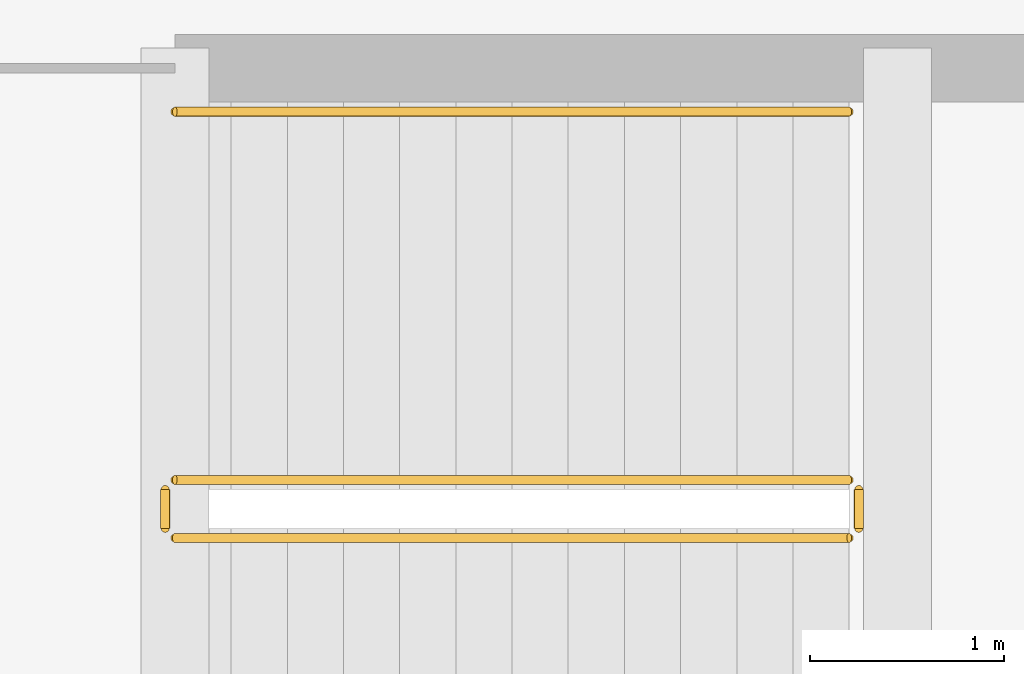
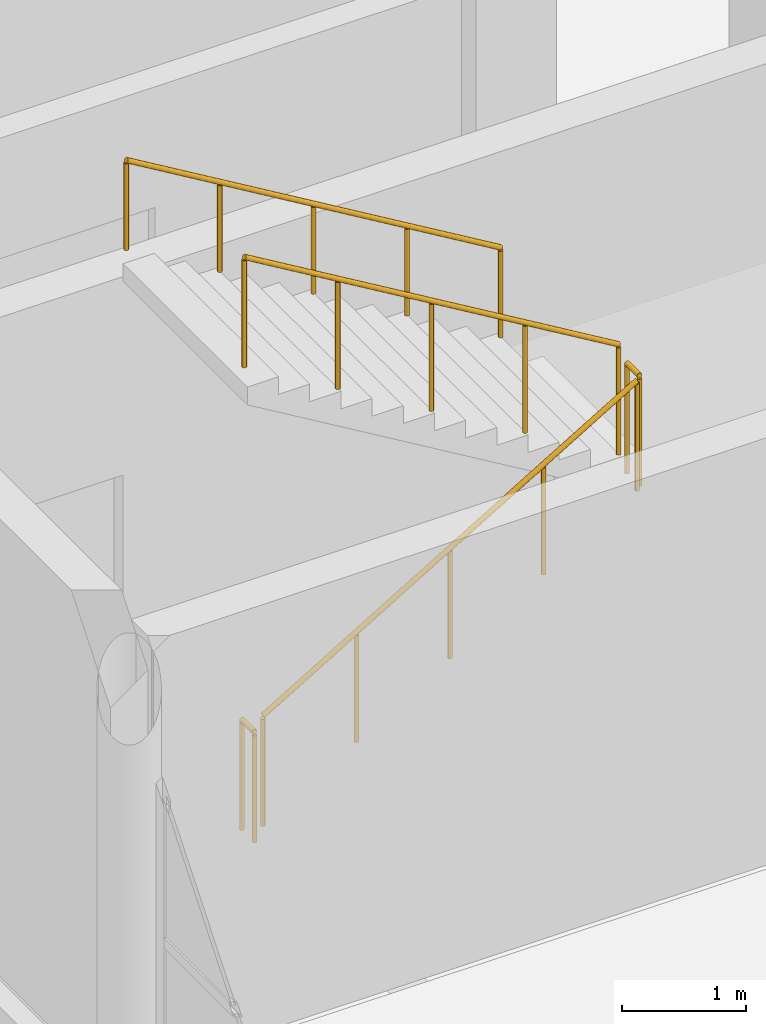
# One storey, part 50 of 53: 5 railings.
"""IFC4 building model written with IfcOpenShell, lengths in metres."""

from ifc_helpers import new_model, si_unit, direction, frame, origin, origin_2d, place, context, subcontext, project, spatial, circle, extrude, material, type_object, element, save


model = new_model("IFC4")

# Units and contexts
model_context = context("Model", 3, precision=1e-05, world=origin(), true_north=direction((0.0, 1.0)))
body_context = subcontext(model_context, "Body", "Model", "MODEL_VIEW")
ifc_project = project(units=[si_unit("LENGTHUNIT", "METRE"), si_unit("AREAUNIT", "SQUARE_METRE"), si_unit("VOLUMEUNIT", "CUBIC_METRE"), si_unit("PLANEANGLEUNIT", "RADIAN"), si_unit("MASSUNIT", "GRAM", prefix="KILO")], contexts=[model_context])

# Site, building, storey
site_placement = place(None, origin())
site = spatial("IfcSite", under=ifc_project, at=site_placement, CompositionType="ELEMENT")
building_placement = place(site_placement, origin())
building = spatial("IfcBuilding", under=site, at=building_placement, Name="Qorikala Patio Media Centre", CompositionType="ELEMENT")
storey_placement = place(building_placement, frame((0.0, 0.0, 5.39990234375)))
storey = spatial("IfcBuildingStorey", under=building, at=storey_placement, Name="L01", CompositionType="ELEMENT", Elevation=5.39990234375)

# Railings
ifc_material_1 = material(Name="Wrought Bronze and Steel S355", Category="steel")
railing_type_1 = type_object("IfcRailingType", Name="RL-GUARD-110", PredefinedType="GUARDRAIL", material=ifc_material_1)
railing_1_placement = place(storey_placement, frame((53.60009765625, 66.35009765625, 0.173095703125)))
element("IfcRailing", 1, at=railing_1_placement, inside=storey, type_object=railing_type_1, Name="L01 ST-6 stair guard 1", PredefinedType="GUARDRAIL", context=body_context, shape_type="SweptSolid", body=[
    extrude(circle(Radius=0.02392578125, at=origin_2d()), frame((0.0, 0.0, 1.076171875), z_axis=(0.858697190188, 0.0, 0.512483302717), x_axis=(0.0, 1.0, 0.0)), (0.0, 0.0, 1.0), 4.052734375),
    extrude(circle(Radius=0.02099609375, at=origin_2d()), origin(), (0.0, 0.0, 1.0), 1.052001953125),
    extrude(circle(Radius=0.02099609375, at=origin_2d()), frame((0.8701171875, 0.0, 0.519287109375)), (0.0, 0.0, 1.0), 1.052001953125),
    extrude(circle(Radius=0.02099609375, at=origin_2d()), frame((1.739990234375, 0.0, 1.03857421875)), (0.0, 0.0, 1.0), 1.052001953125),
    extrude(circle(Radius=0.02099609375, at=origin_2d()), frame((2.60986328125, 0.0, 1.5576171875)), (0.0, 0.0, 1.0), 1.052001953125),
    extrude(circle(Radius=0.02099609375, at=origin_2d()), frame((3.47998046875, 0.0, 2.076904296875)), (0.0, 0.0, 1.0), 1.052001953125),
])
railing_2_placement = place(storey_placement, frame((57.1298828125, 66.39990234375, 2.25)))
element("IfcRailing", 2, at=railing_2_placement, inside=storey, type_object=railing_type_1, Name="L01 ST-6 stair guard 2", PredefinedType="GUARDRAIL", context=body_context, shape_type="SweptSolid", body=[
    extrude(circle(Radius=0.02392578125, at=origin_2d()), frame((0.0, 0.0, 1.076171875), z_axis=(0.0, 1.0, 0.0), x_axis=(-1.0, 0.0, 0.0)), (0.0, 0.0, 1.0), 0.2001953125),
    extrude(circle(Radius=0.02099609375, at=origin_2d()), origin(), (0.0, 0.0, 1.0), 1.052001953125),
    extrude(circle(Radius=0.02099609375, at=origin_2d()), frame((0.0, 0.2001953125, 0.0)), (0.0, 0.0, 1.0), 1.052001953125),
])
railing_3_placement = place(storey_placement, frame((57.080078125, 66.64990234375, 2.423095703125)))
element("IfcRailing", 3, at=railing_3_placement, inside=storey, type_object=railing_type_1, Name="L01 ST-6 stair guard 3", PredefinedType="GUARDRAIL", context=body_context, shape_type="SweptSolid", body=[
    extrude(circle(Radius=0.02392578125, at=origin_2d()), frame((0.0, 0.0, 1.076171875), z_axis=(-0.858697190188, 0.0, 0.512483302717), x_axis=(0.0, -1.0, 0.0)), (0.0, 0.0, 1.0), 4.052734375),
    extrude(circle(Radius=0.02099609375, at=origin_2d()), origin(), (0.0, 0.0, 1.0), 1.052001953125),
    extrude(circle(Radius=0.02099609375, at=origin_2d()), frame((-0.8701171875, 0.0, 0.519287109375)), (0.0, 0.0, 1.0), 1.052001953125),
    extrude(circle(Radius=0.02099609375, at=origin_2d()), frame((-1.739990234375, 0.0, 1.03857421875)), (0.0, 0.0, 1.0), 1.052001953125),
    extrude(circle(Radius=0.02099609375, at=origin_2d()), frame((-2.60986328125, 0.0, 1.5576171875)), (0.0, 0.0, 1.0), 1.052001953125),
    extrude(circle(Radius=0.02099609375, at=origin_2d()), frame((-3.47998046875, 0.0, 2.076904296875)), (0.0, 0.0, 1.0), 1.052001953125),
])
railing_4_placement = place(storey_placement, frame((53.550048828125, 66.39990234375, 0.0)))
element("IfcRailing", 4, at=railing_4_placement, inside=storey, type_object=railing_type_1, Name="L01 ST-6 stair guard 4", PredefinedType="GUARDRAIL", context=body_context, shape_type="SweptSolid", body=[
    extrude(circle(Radius=0.02392578125, at=origin_2d()), frame((0.0, 0.0, 1.076171875), z_axis=(0.0, 1.0, 0.0), x_axis=(-1.0, 0.0, 0.0)), (0.0, 0.0, 1.0), 0.2001953125),
    extrude(circle(Radius=0.02099609375, at=origin_2d()), origin(), (0.0, 0.0, 1.0), 1.052001953125),
    extrude(circle(Radius=0.02099609375, at=origin_2d()), frame((0.0, 0.2001953125, 0.0)), (0.0, 0.0, 1.0), 1.052001953125),
])
ifc_material_2 = material(Name="Brushed Bronze Tubular Steel S355", Category="steel")
railing_type_2 = type_object("IfcRailingType", Name="RL-HAND-090", PredefinedType="HANDRAIL", material=ifc_material_2)
railing_5_placement = place(storey_placement, frame((57.080078125, 68.550048828125, 2.423095703125)))
element("IfcRailing", 5, at=railing_5_placement, inside=storey, type_object=railing_type_2, Name="L01 ST-6 stair handrail 2", PredefinedType="HANDRAIL", context=body_context, shape_type="SweptSolid", body=[
    extrude(circle(Radius=0.02392578125, at=origin_2d()), frame((0.0, 0.0, 0.8759765625), z_axis=(-0.858697190188, 0.0, 0.512483302717), x_axis=(0.0, -1.0, 0.0)), (0.0, 0.0, 1.0), 4.052734375),
    extrude(circle(Radius=0.02099609375, at=origin_2d()), origin(), (0.0, 0.0, 1.0), 0.851806640625),
    extrude(circle(Radius=0.02099609375, at=origin_2d()), frame((-0.8701171875, 0.0, 0.519287109375)), (0.0, 0.0, 1.0), 0.851806640625),
    extrude(circle(Radius=0.02099609375, at=origin_2d()), frame((-1.739990234375, 0.0, 1.03857421875)), (0.0, 0.0, 1.0), 0.851806640625),
    extrude(circle(Radius=0.02099609375, at=origin_2d()), frame((-2.60986328125, 0.0, 1.5576171875)), (0.0, 0.0, 1.0), 0.851806640625),
    extrude(circle(Radius=0.02099609375, at=origin_2d()), frame((-3.47998046875, 0.0, 2.076904296875)), (0.0, 0.0, 1.0), 0.851806640625),
])

save(model, "model.ifc")
